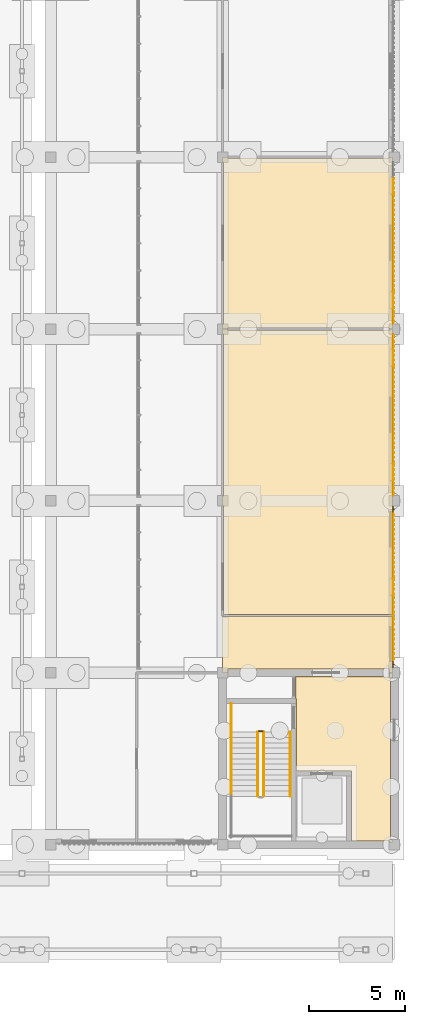
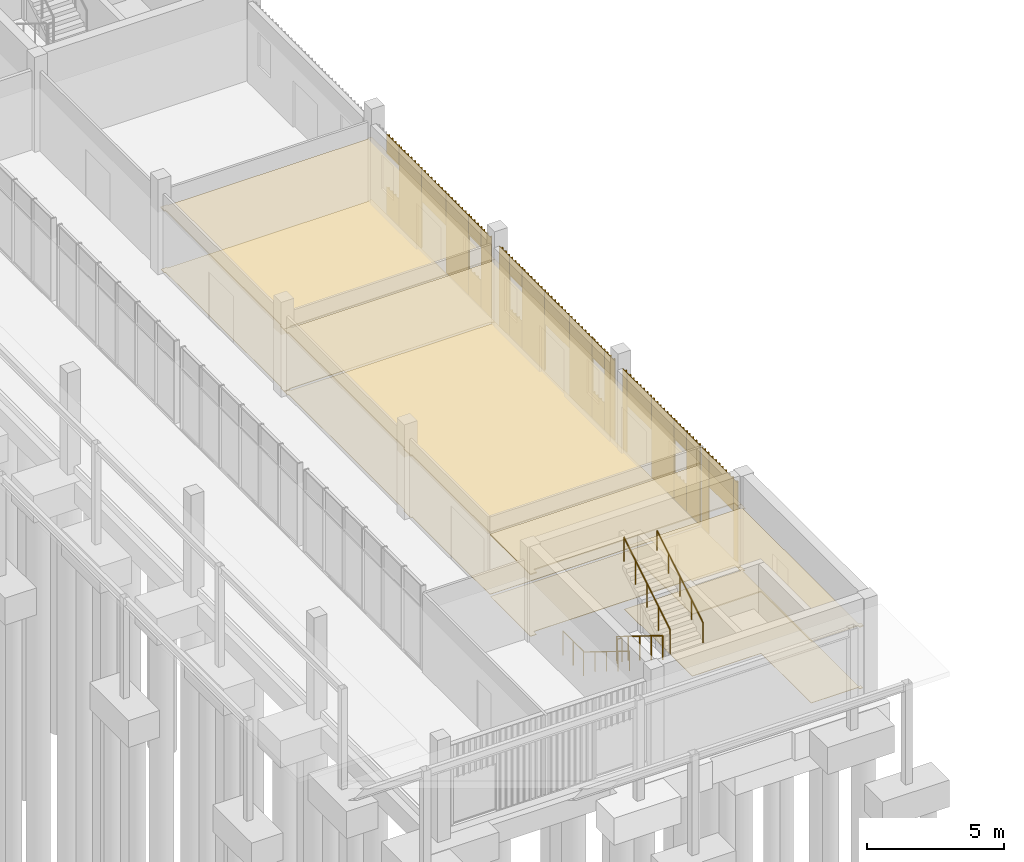
# One storey, part 97 of 106: 34 coverings, 6 railings.
"""IFC4 building model written with IfcOpenShell, lengths in metres."""

from ifc_helpers import new_model, si_unit, direction, frame, origin, origin_2d, place, context, subcontext, project, spatial, polyline, circle, outline, extrude, source, transform, mapped, material, layer, layer_set, type_object, element, save


model = new_model("IFC4")

# Units and contexts
model_context = context("Model", 3, precision=1e-05, world=origin(), true_north=direction((0.0, 1.0)))
body_context = subcontext(model_context, "Body", "Model", "MODEL_VIEW")
ifc_project = project(units=[si_unit("LENGTHUNIT", "METRE"), si_unit("AREAUNIT", "SQUARE_METRE"), si_unit("VOLUMEUNIT", "CUBIC_METRE"), si_unit("PLANEANGLEUNIT", "RADIAN"), si_unit("MASSUNIT", "GRAM", prefix="KILO")], contexts=[model_context])

# Site, building, storey
site_placement = place(None, origin())
site = spatial("IfcSite", under=ifc_project, at=site_placement, CompositionType="ELEMENT")
building_placement = place(site_placement, origin())
building = spatial("IfcBuilding", under=site, at=building_placement, Name="Merrow Basin Faculty of Sciences", CompositionType="ELEMENT")
storey_placement = place(building_placement, origin())
storey = spatial("IfcBuildingStorey", under=building, at=storey_placement, Name="L00", CompositionType="ELEMENT", Elevation=0.0)

# Coverings
ifc_material_1 = material(Name="Carpet tile floor")
ifc_layer_1 = layer(ifc_material_1, 0.02001953125)
ifc_layer_set_1 = layer_set([ifc_layer_1], Name="Carpet tile floor")
covering_type_1 = type_object("IfcCoveringType", Name="Carpet tile floor", PredefinedType="FLOORING", material=ifc_layer_set_1)
covering_1_placement = place(storey_placement, origin())
element("IfcCovering", 1, at=covering_1_placement, inside=storey, type_object=covering_type_1, Name="Floor finish L00-C-027", PredefinedType="FLOORING", context=body_context, shape_type="SweptSolid", body=[
    extrude(outline(polyline([(63.010009765625, 88.264892578125), (63.06005859375, 88.264892578125), (63.06005859375, 96.735107421875), (63.010009765625, 96.735107421875), (63.010009765625, 96.989990234375), (63.264892578125, 96.989990234375), (63.264892578125, 96.93994140625), (71.735107421875, 96.93994140625), (71.735107421875, 96.989990234375), (71.889892578125, 96.989990234375), (71.889892578125, 88.010009765625), (71.735107421875, 88.010009765625), (71.735107421875, 88.06005859375), (63.264892578125, 88.06005859375), (63.264892578125, 88.010009765625), (63.010009765625, 88.010009765625), (63.010009765625, 88.264892578125)])), origin(), (0.0, 0.0, 1.0), 0.02001953125),
])
ifc_material_2 = material(Name="Polished terrazzo floor")
ifc_layer_2 = layer(ifc_material_2, 0.02001953125)
ifc_layer_set_2 = layer_set([ifc_layer_2], Name="Polished terrazzo floor")
covering_type_2 = type_object("IfcCoveringType", Name="Polished terrazzo floor", PredefinedType="FLOORING", material=ifc_layer_set_2)
covering_2_placement = place(storey_placement, origin())
element("IfcCovering", 2, at=covering_2_placement, inside=storey, type_object=covering_type_2, Name="Floor finish L00-C-003", PredefinedType="FLOORING", context=body_context, shape_type="SweptSolid", body=[
    extrude(outline(polyline([(71.889892578125, 69.989990234375), (71.889892578125, 69.735107421875), (71.7900390625, 69.735107421875), (71.7900390625, 61.264892578125), (71.889892578125, 61.264892578125), (71.889892578125, 61.110107421875), (71.735107421875, 61.110107421875), (71.735107421875, 61.2099609375), (69.760009765625, 61.2099609375), (69.760009765625, 64.860107421875), (66.860107421875, 64.860107421875), (66.860107421875, 68.659912109375), (66.8349609375, 68.659912109375), (66.8349609375, 69.7900390625), (71.735107421875, 69.7900390625), (71.735107421875, 69.989990234375), (71.889892578125, 69.989990234375)])), origin(), (0.0, 0.0, 1.0), 0.02001953125),
])
covering_3_placement = place(storey_placement, origin())
element("IfcCovering", 3, at=covering_3_placement, inside=storey, type_object=covering_type_2, Name="Floor finish L00-C-018", PredefinedType="FLOORING", context=body_context, shape_type="SweptSolid", body=[
    extrude(outline(polyline([(63.010009765625, 72.93994140625), (71.889892578125, 72.93994140625), (71.889892578125, 70.010009765625), (71.735107421875, 70.010009765625), (71.735107421875, 70.2099609375), (63.264892578125, 70.2099609375), (63.264892578125, 70.010009765625), (63.010009765625, 70.010009765625), (63.010009765625, 72.93994140625)])), origin(), (0.0, 0.0, 1.0), 0.02001953125),
])
covering_4_placement = place(storey_placement, origin())
element("IfcCovering", 4, at=covering_4_placement, inside=storey, type_object=covering_type_2, Name="Floor finish L00-C-026", PredefinedType="FLOORING", context=body_context, shape_type="SweptSolid", body=[
    extrude(outline(polyline([(63.010009765625, 79.264892578125), (63.06005859375, 79.264892578125), (63.06005859375, 87.735107421875), (63.010009765625, 87.735107421875), (63.010009765625, 87.989990234375), (63.264892578125, 87.989990234375), (63.264892578125, 87.93994140625), (71.735107421875, 87.93994140625), (71.735107421875, 87.989990234375), (71.889892578125, 87.989990234375), (71.889892578125, 73.06005859375), (63.06005859375, 73.06005859375), (63.06005859375, 78.735107421875), (63.010009765625, 78.735107421875), (63.010009765625, 79.264892578125)])), origin(), (0.0, 0.0, 1.0), 0.02001953125),
])

# Railings
ifc_material_3 = material(Name="Steel ASTM A36", Category="steel")
railing_type_1 = type_object("IfcRailingType", Name="Steel guard 1100", PredefinedType="GUARDRAIL", material=ifc_material_3)
railing_1_placement = place(storey_placement, frame((64.85009765625, 66.89990234375, 0.173095703125)))
element("IfcRailing", 5, at=railing_1_placement, inside=storey, type_object=railing_type_1, Name="L00 ST-V2-S stair guard 1", PredefinedType="GUARDRAIL", context=body_context, shape_type="SweptSolid", body=[
    extrude(circle(Radius=0.02392578125, at=origin_2d()), frame((0.0, 0.0, 1.076171875), z_axis=(0.0, -0.850606129759, 0.525803396734), x_axis=(1.0, 0.0, 0.0)), (0.0, 0.0, 1.0), 3.949951171875),
    extrude(circle(Radius=0.02099609375, at=origin_2d()), origin(), (0.0, 0.0, 1.0), 1.052001953125),
    extrude(circle(Radius=0.02099609375, at=origin_2d()), frame((0.0, -0.83984375, 0.519287109375)), (0.0, 0.0, 1.0), 1.052001953125),
    extrude(circle(Radius=0.02099609375, at=origin_2d()), frame((0.0, -1.679931640625, 1.03857421875)), (0.0, 0.0, 1.0), 1.052001953125),
    extrude(circle(Radius=0.02099609375, at=origin_2d()), frame((0.0, -2.52001953125, 1.5576171875)), (0.0, 0.0, 1.0), 1.052001953125),
    extrude(circle(Radius=0.02099609375, at=origin_2d()), frame((0.0, -3.35986328125, 2.076904296875)), (0.0, 0.0, 1.0), 1.052001953125),
])
railing_2_placement = place(storey_placement, frame((65.14990234375, 63.5400390625, 2.423095703125)))
element("IfcRailing", 6, at=railing_2_placement, inside=storey, type_object=railing_type_1, Name="L00 ST-V2-S stair guard 5", PredefinedType="GUARDRAIL", context=body_context, shape_type="SweptSolid", body=[
    extrude(circle(Radius=0.02392578125, at=origin_2d()), frame((0.0, 0.0, 1.076171875), z_axis=(0.0, 0.850606129759, 0.525803396734), x_axis=(-1.0, 0.0, 0.0)), (0.0, 0.0, 1.0), 3.949951171875),
    extrude(circle(Radius=0.02099609375, at=origin_2d()), origin(), (0.0, 0.0, 1.0), 1.052001953125),
    extrude(circle(Radius=0.02099609375, at=origin_2d()), frame((0.0, 0.83984375, 0.519287109375)), (0.0, 0.0, 1.0), 1.052001953125),
    extrude(circle(Radius=0.02099609375, at=origin_2d()), frame((0.0, 1.679931640625, 1.03857421875)), (0.0, 0.0, 1.0), 1.052001953125),
    extrude(circle(Radius=0.02099609375, at=origin_2d()), frame((0.0, 2.52001953125, 1.5576171875)), (0.0, 0.0, 1.0), 1.052001953125),
    extrude(circle(Radius=0.02099609375, at=origin_2d()), frame((0.0, 3.35986328125, 2.076904296875)), (0.0, 0.0, 1.0), 1.052001953125),
])
railing_3_placement = place(storey_placement, frame((64.89990234375, 66.949951171875, 0.0)))
element("IfcRailing", 7, at=railing_3_placement, inside=storey, type_object=railing_type_1, Name="L00 ST-V2-S stair guard 6", PredefinedType="GUARDRAIL", context=body_context, shape_type="SweptSolid", body=[
    extrude(circle(Radius=0.02392578125, at=origin_2d()), frame((0.0, 0.0, 1.076171875), z_axis=(1.0, 0.0, 0.0), x_axis=(0.0, 1.0, 0.0)), (0.0, 0.0, 1.0), 0.2001953125),
    extrude(circle(Radius=0.02099609375, at=origin_2d()), origin(), (0.0, 0.0, 1.0), 1.052001953125),
    extrude(circle(Radius=0.02099609375, at=origin_2d()), frame((0.2001953125, 0.0, 0.0)), (0.0, 0.0, 1.0), 1.052001953125),
])
railing_4_placement = place(storey_placement, frame((63.449951171875, 68.39990234375, 0.0)))
element("IfcRailing", 8, at=railing_4_placement, inside=storey, type_object=railing_type_1, Name="L00 ST-V2-S stair guard 7", PredefinedType="GUARDRAIL", context=body_context, shape_type="SweptSolid", body=[
    extrude(circle(Radius=0.02392578125, at=origin_2d()), frame((0.0, 0.0, 1.076171875), z_axis=(0.0, -1.0, 0.0), x_axis=(1.0, 0.0, 0.0)), (0.0, 0.0, 1.0), 1.5),
    extrude(circle(Radius=0.02099609375, at=origin_2d()), origin(), (0.0, 0.0, 1.0), 1.052001953125),
    extrude(circle(Radius=0.02099609375, at=origin_2d()), frame((0.0, -0.75, 0.0)), (0.0, 0.0, 1.0), 1.052001953125),
    extrude(circle(Radius=0.02099609375, at=origin_2d()), frame((0.0, -1.5, 0.0)), (0.0, 0.0, 1.0), 1.052001953125),
])
ifc_material_4 = material(Name="Steel ASTM A36", Category="steel")
railing_type_2 = type_object("IfcRailingType", Name="Steel handrail 900", PredefinedType="HANDRAIL", material=ifc_material_4)
railing_5_placement = place(storey_placement, frame((63.449951171875, 66.89990234375, 0.173095703125)))
element("IfcRailing", 9, at=railing_5_placement, inside=storey, type_object=railing_type_2, Name="L00 ST-V2-S stair handrail 1", PredefinedType="HANDRAIL", context=body_context, shape_type="SweptSolid", body=[
    extrude(circle(Radius=0.02392578125, at=origin_2d()), frame((0.0, 0.0, 0.8759765625), z_axis=(0.0, -0.850606129759, 0.525803396734), x_axis=(1.0, 0.0, 0.0)), (0.0, 0.0, 1.0), 3.949951171875),
    extrude(circle(Radius=0.02099609375, at=origin_2d()), origin(), (0.0, 0.0, 1.0), 0.851806640625),
    extrude(circle(Radius=0.02099609375, at=origin_2d()), frame((0.0, -0.83984375, 0.519287109375)), (0.0, 0.0, 1.0), 0.851806640625),
    extrude(circle(Radius=0.02099609375, at=origin_2d()), frame((0.0, -1.679931640625, 1.03857421875)), (0.0, 0.0, 1.0), 0.851806640625),
    extrude(circle(Radius=0.02099609375, at=origin_2d()), frame((0.0, -2.52001953125, 1.5576171875)), (0.0, 0.0, 1.0), 0.851806640625),
    extrude(circle(Radius=0.02099609375, at=origin_2d()), frame((0.0, -3.35986328125, 2.076904296875)), (0.0, 0.0, 1.0), 0.851806640625),
])
railing_6_placement = place(storey_placement, frame((66.550048828125, 63.5400390625, 2.423095703125)))
element("IfcRailing", 10, at=railing_6_placement, inside=storey, type_object=railing_type_2, Name="L00 ST-V2-S stair handrail 2", PredefinedType="HANDRAIL", context=body_context, shape_type="SweptSolid", body=[
    extrude(circle(Radius=0.02392578125, at=origin_2d()), frame((0.0, 0.0, 0.8759765625), z_axis=(0.0, 0.850606129759, 0.525803396734), x_axis=(-1.0, 0.0, 0.0)), (0.0, 0.0, 1.0), 3.949951171875),
    extrude(circle(Radius=0.02099609375, at=origin_2d()), origin(), (0.0, 0.0, 1.0), 0.851806640625),
    extrude(circle(Radius=0.02099609375, at=origin_2d()), frame((0.0, 0.83984375, 0.519287109375)), (0.0, 0.0, 1.0), 0.851806640625),
    extrude(circle(Radius=0.02099609375, at=origin_2d()), frame((0.0, 1.679931640625, 1.03857421875)), (0.0, 0.0, 1.0), 0.851806640625),
    extrude(circle(Radius=0.02099609375, at=origin_2d()), frame((0.0, 2.52001953125, 1.5576171875)), (0.0, 0.0, 1.0), 0.851806640625),
    extrude(circle(Radius=0.02099609375, at=origin_2d()), frame((0.0, 3.35986328125, 2.076904296875)), (0.0, 0.0, 1.0), 0.851806640625),
])

# Coverings
ifc_material_5 = material(Name="Mineral fibre ceiling tile")
ifc_layer_3 = layer(ifc_material_5, 0.050048828125)
ifc_layer_set_3 = layer_set([ifc_layer_3], Name="Suspended acoustic ceiling tile")
covering_type_3 = type_object("IfcCoveringType", Name="Suspended acoustic ceiling tile", PredefinedType="CEILING", material=ifc_layer_set_3)
covering_5_placement = place(storey_placement, frame((0.0, 0.0, 2.75)))
element("IfcCovering", 11, at=covering_5_placement, inside=storey, type_object=covering_type_3, Name="Ceiling L00-C-003", PredefinedType="CEILING", context=body_context, shape_type="SweptSolid", body=[
    extrude(outline(polyline([(71.89990234375, 70.0), (71.89990234375, 69.72509765625), (71.800048828125, 69.72509765625), (71.800048828125, 61.27490234375), (71.89990234375, 61.27490234375), (71.89990234375, 61.10009765625), (71.72509765625, 61.10009765625), (71.72509765625, 61.199951171875), (69.75, 61.199951171875), (69.75, 64.85009765625), (66.85009765625, 64.85009765625), (66.85009765625, 68.64990234375), (66.824951171875, 68.64990234375), (66.824951171875, 69.800048828125), (71.72509765625, 69.800048828125), (71.72509765625, 70.0), (71.89990234375, 70.0)])), origin(), (0.0, 0.0, 1.0), 0.050048828125),
])
covering_6_placement = place(storey_placement, frame((0.0, 0.0, 2.75)))
element("IfcCovering", 12, at=covering_6_placement, inside=storey, type_object=covering_type_3, Name="Ceiling L00-C-018", PredefinedType="CEILING", context=body_context, shape_type="SweptSolid", body=[
    extrude(outline(polyline([(63.0, 72.949951171875), (71.89990234375, 72.949951171875), (71.89990234375, 70.0), (71.72509765625, 70.0), (71.72509765625, 70.199951171875), (63.27490234375, 70.199951171875), (63.27490234375, 70.0), (63.0, 70.0), (63.0, 72.949951171875)])), origin(), (0.0, 0.0, 1.0), 0.050048828125),
])
covering_7_placement = place(storey_placement, frame((0.0, 0.0, 2.75)))
element("IfcCovering", 13, at=covering_7_placement, inside=storey, type_object=covering_type_3, Name="Ceiling L00-C-026", PredefinedType="CEILING", context=body_context, shape_type="SweptSolid", body=[
    extrude(outline(polyline([(63.0, 79.27490234375), (63.050048828125, 79.27490234375), (63.050048828125, 87.72509765625), (63.0, 87.72509765625), (63.0, 88.0), (63.27490234375, 88.0), (63.27490234375, 87.949951171875), (71.72509765625, 87.949951171875), (71.72509765625, 88.0), (71.89990234375, 88.0), (71.89990234375, 73.050048828125), (63.050048828125, 73.050048828125), (63.050048828125, 78.72509765625), (63.0, 78.72509765625), (63.0, 79.27490234375)])), origin(), (0.0, 0.0, 1.0), 0.050048828125),
])
covering_8_placement = place(storey_placement, frame((0.0, 0.0, 2.75)))
element("IfcCovering", 14, at=covering_8_placement, inside=storey, type_object=covering_type_3, Name="Ceiling L00-C-027", PredefinedType="CEILING", context=body_context, shape_type="SweptSolid", body=[
    extrude(outline(polyline([(63.0, 88.27490234375), (63.050048828125, 88.27490234375), (63.050048828125, 96.72509765625), (63.0, 96.72509765625), (63.0, 97.0), (63.27490234375, 97.0), (63.27490234375, 96.949951171875), (71.72509765625, 96.949951171875), (71.72509765625, 97.0), (71.89990234375, 97.0), (71.89990234375, 88.0), (71.72509765625, 88.0), (71.72509765625, 88.050048828125), (63.27490234375, 88.050048828125), (63.27490234375, 88.0), (63.0, 88.0), (63.0, 88.27490234375)])), origin(), (0.0, 0.0, 1.0), 0.050048828125),
])
ifc_material_6 = material(Name="Larch timber", Category="wood")
ifc_layer_4 = layer(ifc_material_6, 0.0849609375)
ifc_layer_set_4 = layer_set([ifc_layer_4], Name="Larch batten cladding 85")
covering_type_4 = type_object("IfcCoveringType", Name="Larch batten cladding 85", PredefinedType="CLADDING", material=ifc_layer_set_4)
shared_shape_1 = source(origin(), body_context, "Body", "SweptSolid", [
    extrude(outline(polyline([(0.0, 0.0), (0.550048828125, 0.0), (0.550048828125, 0.02490234375), (0.425048828125, 0.02490234375), (0.425048828125, 0.0849609375), (0.375, 0.0849609375), (0.375, 0.02490234375), (0.175048828125, 0.02490234375), (0.175048828125, 0.0849609375), (0.125, 0.0849609375), (0.125, 0.02490234375), (0.0, 0.02490234375), (0.0, 0.0)])), origin(), (0.0, 0.0, 1.0), 3.550048828125),
])
covering_9_placement = place(storey_placement, frame((71.916015625, 72.949951171875, 0.0), z_axis=(0.0, 0.0, 1.0), x_axis=(0.0, -1.0, 0.0)))
element("IfcCovering", 15, at=covering_9_placement, inside=storey, type_object=covering_type_4, Name="Larch batten cladding", PredefinedType="CLADDING", context=body_context, shape_type="MappedRepresentation", body=[
    mapped(shared_shape_1, transform((0.0, 0.0, 0.0), scale=1.0)),
])
shared_shape_2 = source(origin(), body_context, "Body", "SweptSolid", [
    extrude(outline(polyline([(0.0, 0.0), (1.800048828125, 0.0), (1.800048828125, 0.02490234375), (1.675048828125, 0.02490234375), (1.675048828125, 0.0849609375), (1.625, 0.0849609375), (1.625, 0.02490234375), (1.425048828125, 0.02490234375), (1.425048828125, 0.0849609375), (1.375, 0.0849609375), (1.375, 0.02490234375), (1.175048828125, 0.02490234375), (1.175048828125, 0.0849609375), (1.125, 0.0849609375), (1.125, 0.02490234375), (0.925048828125, 0.02490234375), (0.925048828125, 0.0849609375), (0.875, 0.0849609375), (0.875, 0.02490234375), (0.675048828125, 0.02490234375), (0.675048828125, 0.0849609375), (0.625, 0.0849609375), (0.625, 0.02490234375), (0.425048828125, 0.02490234375), (0.425048828125, 0.0849609375), (0.375, 0.0849609375), (0.375, 0.02490234375), (0.175048828125, 0.02490234375), (0.175048828125, 0.0849609375), (0.125, 0.0849609375), (0.125, 0.02490234375), (0.0, 0.02490234375), (0.0, 0.0)])), origin(), (0.0, 0.0, 1.0), 1.449951171875),
])
for number, where, z_axis, x_axis, name in (
    (16, (71.916015625, 72.39990234375, 2.10009765625), (0.0, 0.0, 1.0), (0.0, -1.0, 0.0), "Larch batten cladding"),
    (17, (71.916015625, 78.39990234375, 2.10009765625), (0.0, 0.0, 1.0), (0.0, -1.0, 0.0), "Larch batten cladding"),
    (18, (71.916015625, 84.39990234375, 2.10009765625), (0.0, 0.0, 1.0), (0.0, -1.0, 0.0), "Larch batten cladding"),
    (19, (71.916015625, 93.39990234375, 2.10009765625), (0.0, 0.0, 1.0), (0.0, -1.0, 0.0), "Larch batten cladding"),
):
    element("IfcCovering", number, at=place(storey_placement, frame(where, z_axis=z_axis, x_axis=x_axis)), inside=storey, type_object=covering_type_4, Name=name, PredefinedType="CLADDING", context=body_context, shape_type="MappedRepresentation", body=[
        mapped(shared_shape_2, transform((0.0, 0.0, 0.0), scale=1.0)),
    ])
shared_shape_3 = source(origin(), body_context, "Body", "SweptSolid", [
    extrude(outline(polyline([(0.0, 0.0), (0.324951171875, 0.0), (0.324951171875, 0.02490234375), (0.18701171875, 0.02490234375), (0.18701171875, 0.0849609375), (0.136962890625, 0.0849609375), (0.136962890625, 0.02490234375), (0.0, 0.02490234375), (0.0, 0.0)])), origin(), (0.0, 0.0, 1.0), 3.550048828125),
])
for number, where, z_axis, x_axis, name in (
    (20, (71.916015625, 70.60009765625, 0.0), (0.0, 0.0, 1.0), (0.0, -1.0, 0.0), "Larch batten cladding"),
    (21, (71.916015625, 78.72509765625, 0.0), (0.0, 0.0, 1.0), (0.0, -1.0, 0.0), "Larch batten cladding"),
):
    element("IfcCovering", number, at=place(storey_placement, frame(where, z_axis=z_axis, x_axis=x_axis)), inside=storey, type_object=covering_type_4, Name=name, PredefinedType="CLADDING", context=body_context, shape_type="MappedRepresentation", body=[
        mapped(shared_shape_3, transform((0.0, 0.0, 0.0), scale=1.0)),
    ])
shared_shape_4 = source(origin(), body_context, "Body", "SweptSolid", [
    extrude(outline(polyline([(0.0, 0.0), (1.64990234375, 0.0), (1.64990234375, 0.02490234375), (1.60009765625, 0.02490234375), (1.60009765625, 0.0849609375), (1.550048828125, 0.0849609375), (1.550048828125, 0.02490234375), (1.35009765625, 0.02490234375), (1.35009765625, 0.0849609375), (1.300048828125, 0.0849609375), (1.300048828125, 0.02490234375), (1.10009765625, 0.02490234375), (1.10009765625, 0.0849609375), (1.050048828125, 0.0849609375), (1.050048828125, 0.02490234375), (0.85009765625, 0.02490234375), (0.85009765625, 0.0849609375), (0.800048828125, 0.0849609375), (0.800048828125, 0.02490234375), (0.60009765625, 0.02490234375), (0.60009765625, 0.0849609375), (0.550048828125, 0.0849609375), (0.550048828125, 0.02490234375), (0.35009765625, 0.02490234375), (0.35009765625, 0.0849609375), (0.300048828125, 0.0849609375), (0.300048828125, 0.02490234375), (0.10009765625, 0.02490234375), (0.10009765625, 0.0849609375), (0.050048828125, 0.0849609375), (0.050048828125, 0.02490234375), (0.0, 0.02490234375), (0.0, 0.0)])), origin(), (0.0, 0.0, 1.0), 3.550048828125),
])
for number, where, z_axis, x_axis, name in (
    (22, (71.916015625, 76.60009765625, 0.0), (0.0, 0.0, 1.0), (0.0, -1.0, 0.0), "Larch batten cladding"),
    (23, (71.916015625, 86.050048828125, 0.0), (0.0, 0.0, 1.0), (0.0, -1.0, 0.0), "Larch batten cladding"),
    (24, (71.916015625, 82.60009765625, 0.0), (0.0, 0.0, 1.0), (0.0, -1.0, 0.0), "Larch batten cladding"),
    (25, (71.916015625, 95.050048828125, 0.0), (0.0, 0.0, 1.0), (0.0, -1.0, 0.0), "Larch batten cladding"),
    (26, (71.916015625, 91.60009765625, 0.0), (0.0, 0.0, 1.0), (0.0, -1.0, 0.0), "Larch batten cladding"),
):
    element("IfcCovering", number, at=place(storey_placement, frame(where, z_axis=z_axis, x_axis=x_axis)), inside=storey, type_object=covering_type_4, Name=name, PredefinedType="CLADDING", context=body_context, shape_type="MappedRepresentation", body=[
        mapped(shared_shape_4, transform((0.0, 0.0, 0.0), scale=1.0)),
    ])
shared_shape_5 = source(origin(), body_context, "Body", "SweptSolid", [
    extrude(outline(polyline([(0.0, 0.0), (0.89990234375, 0.0), (0.89990234375, 0.02490234375), (0.85009765625, 0.02490234375), (0.85009765625, 0.0849609375), (0.800048828125, 0.0849609375), (0.800048828125, 0.02490234375), (0.60009765625, 0.02490234375), (0.60009765625, 0.0849609375), (0.550048828125, 0.0849609375), (0.550048828125, 0.02490234375), (0.35009765625, 0.02490234375), (0.35009765625, 0.0849609375), (0.300048828125, 0.0849609375), (0.300048828125, 0.02490234375), (0.10009765625, 0.02490234375), (0.10009765625, 0.0849609375), (0.050048828125, 0.0849609375), (0.050048828125, 0.02490234375), (0.0, 0.02490234375), (0.0, 0.0)])), origin(), (0.0, 0.0, 1.0), 1.199951171875),
])
for number, where, z_axis, x_axis, name in (
    (27, (71.916015625, 74.949951171875, 0.0), (0.0, 0.0, 1.0), (0.0, -1.0, 0.0), "Larch batten cladding"),
    (28, (71.916015625, 86.949951171875, 0.0), (0.0, 0.0, 1.0), (0.0, -1.0, 0.0), "Larch batten cladding"),
    (29, (71.916015625, 80.949951171875, 0.0), (0.0, 0.0, 1.0), (0.0, -1.0, 0.0), "Larch batten cladding"),
    (30, (71.916015625, 95.949951171875, 0.0), (0.0, 0.0, 1.0), (0.0, -1.0, 0.0), "Larch batten cladding"),
    (31, (71.916015625, 89.949951171875, 0.0), (0.0, 0.0, 1.0), (0.0, -1.0, 0.0), "Larch batten cladding"),
):
    element("IfcCovering", number, at=place(storey_placement, frame(where, z_axis=z_axis, x_axis=x_axis)), inside=storey, type_object=covering_type_4, Name=name, PredefinedType="CLADDING", context=body_context, shape_type="MappedRepresentation", body=[
        mapped(shared_shape_5, transform((0.0, 0.0, 0.0), scale=1.0)),
    ])
shared_shape_6 = source(origin(), body_context, "Body", "SweptSolid", [
    extrude(outline(polyline([(0.0, 0.0), (0.89990234375, 0.0), (0.89990234375, 0.02490234375), (0.85009765625, 0.02490234375), (0.85009765625, 0.0849609375), (0.800048828125, 0.0849609375), (0.800048828125, 0.02490234375), (0.60009765625, 0.02490234375), (0.60009765625, 0.0849609375), (0.550048828125, 0.0849609375), (0.550048828125, 0.02490234375), (0.35009765625, 0.02490234375), (0.35009765625, 0.0849609375), (0.300048828125, 0.0849609375), (0.300048828125, 0.02490234375), (0.10009765625, 0.02490234375), (0.10009765625, 0.0849609375), (0.050048828125, 0.0849609375), (0.050048828125, 0.02490234375), (0.0, 0.02490234375), (0.0, 0.0)])), origin(), (0.0, 0.0, 1.0), 0.85009765625),
])
for number, where, z_axis, x_axis, name in (
    (32, (71.916015625, 74.949951171875, 2.699951171875), (0.0, 0.0, 1.0), (0.0, -1.0, 0.0), "Larch batten cladding"),
    (33, (71.916015625, 86.949951171875, 2.699951171875), (0.0, 0.0, 1.0), (0.0, -1.0, 0.0), "Larch batten cladding"),
    (34, (71.916015625, 80.949951171875, 2.699951171875), (0.0, 0.0, 1.0), (0.0, -1.0, 0.0), "Larch batten cladding"),
    (35, (71.916015625, 95.949951171875, 2.699951171875), (0.0, 0.0, 1.0), (0.0, -1.0, 0.0), "Larch batten cladding"),
    (36, (71.916015625, 89.949951171875, 2.699951171875), (0.0, 0.0, 1.0), (0.0, -1.0, 0.0), "Larch batten cladding"),
):
    element("IfcCovering", number, at=place(storey_placement, frame(where, z_axis=z_axis, x_axis=x_axis)), inside=storey, type_object=covering_type_4, Name=name, PredefinedType="CLADDING", context=body_context, shape_type="MappedRepresentation", body=[
        mapped(shared_shape_6, transform((0.0, 0.0, 0.0), scale=1.0)),
    ])
shared_shape_7 = source(origin(), body_context, "Body", "SweptSolid", [
    extrude(outline(polyline([(0.0, 0.0), (1.0, 0.0), (1.0, 0.02490234375), (0.89990234375, 0.02490234375), (0.89990234375, 0.0849609375), (0.85009765625, 0.0849609375), (0.85009765625, 0.02490234375), (0.64990234375, 0.02490234375), (0.64990234375, 0.0849609375), (0.60009765625, 0.0849609375), (0.60009765625, 0.02490234375), (0.39990234375, 0.02490234375), (0.39990234375, 0.0849609375), (0.35009765625, 0.0849609375), (0.35009765625, 0.02490234375), (0.14990234375, 0.02490234375), (0.14990234375, 0.0849609375), (0.10009765625, 0.0849609375), (0.10009765625, 0.02490234375), (0.0, 0.02490234375), (0.0, 0.0)])), origin(), (0.0, 0.0, 1.0), 3.550048828125),
])
covering_10_placement = place(storey_placement, frame((71.916015625, 74.050048828125, 0.0), z_axis=(0.0, 0.0, 1.0), x_axis=(0.0, -1.0, 0.0)))
element("IfcCovering", 37, at=covering_10_placement, inside=storey, type_object=covering_type_4, Name="Larch batten cladding", PredefinedType="CLADDING", context=body_context, shape_type="MappedRepresentation", body=[
    mapped(shared_shape_7, transform((0.0, 0.0, 0.0), scale=1.0)),
])
shared_shape_8 = source(origin(), body_context, "Body", "SweptSolid", [
    extrude(outline(polyline([(0.0, 0.0), (0.77490234375, 0.0), (0.77490234375, 0.02490234375), (0.662109375, 0.02490234375), (0.662109375, 0.0849609375), (0.612060546875, 0.0849609375), (0.612060546875, 0.02490234375), (0.412109375, 0.02490234375), (0.412109375, 0.0849609375), (0.362060546875, 0.0849609375), (0.362060546875, 0.02490234375), (0.162109375, 0.02490234375), (0.162109375, 0.0849609375), (0.112060546875, 0.0849609375), (0.112060546875, 0.02490234375), (0.0, 0.02490234375), (0.0, 0.0)])), origin(), (0.0, 0.0, 1.0), 3.550048828125),
])
for number, where, z_axis, x_axis, name in (
    (38, (71.916015625, 87.72509765625, 0.0), (0.0, 0.0, 1.0), (0.0, -1.0, 0.0), "Larch batten cladding"),
    (39, (71.916015625, 80.050048828125, 0.0), (0.0, 0.0, 1.0), (0.0, -1.0, 0.0), "Larch batten cladding"),
    (40, (71.916015625, 89.050048828125, 0.0), (0.0, 0.0, 1.0), (0.0, -1.0, 0.0), "Larch batten cladding"),
):
    element("IfcCovering", number, at=place(storey_placement, frame(where, z_axis=z_axis, x_axis=x_axis)), inside=storey, type_object=covering_type_4, Name=name, PredefinedType="CLADDING", context=body_context, shape_type="MappedRepresentation", body=[
        mapped(shared_shape_8, transform((0.0, 0.0, 0.0), scale=1.0)),
    ])

save(model, "model.ifc")
